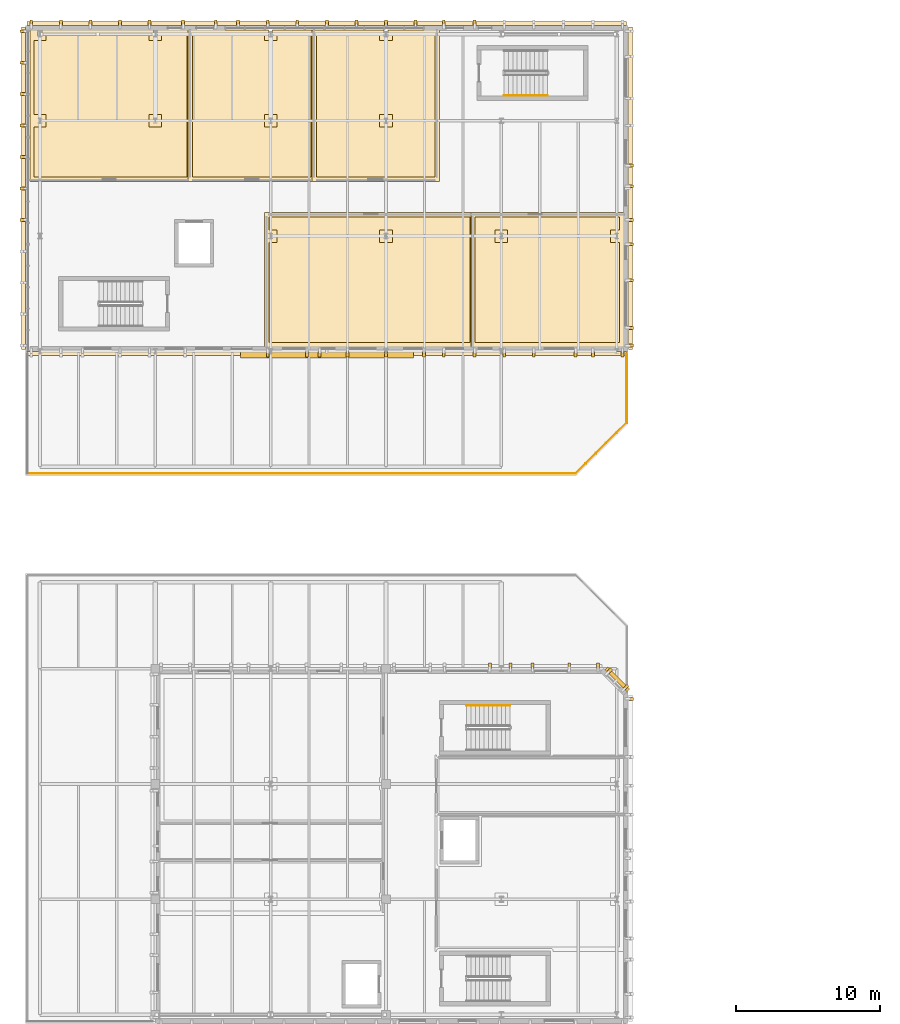
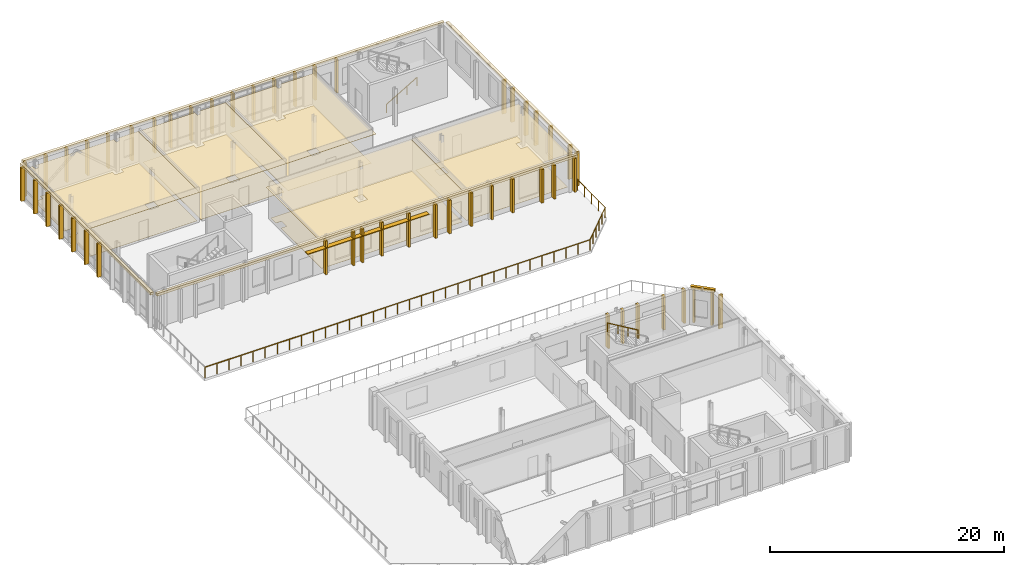
# One storey, part 39 of 43: 66 coverings, 3 railings, 1 shading device.
"""IFC4 building model written with IfcOpenShell, lengths in metres."""

from ifc_helpers import new_model, si_unit, direction, frame, origin, origin_2d, place, context, subcontext, project, spatial, polyline, rectangle, circle, outline, extrude, material, layer, layer_set, type_object, element, save


model = new_model("IFC4")

# Units and contexts
model_context = context("Model", 3, precision=1e-05, world=origin(), true_north=direction((0.0, 1.0)))
body_context = subcontext(model_context, "Body", "Model", "MODEL_VIEW")
ifc_project = project(units=[si_unit("LENGTHUNIT", "METRE"), si_unit("AREAUNIT", "SQUARE_METRE"), si_unit("VOLUMEUNIT", "CUBIC_METRE"), si_unit("PLANEANGLEUNIT", "RADIAN"), si_unit("MASSUNIT", "GRAM", prefix="KILO")], contexts=[model_context])

# Site, building, storey
site_placement = place(None, origin())
site = spatial("IfcSite", under=ifc_project, at=site_placement, CompositionType="ELEMENT")
building_placement = place(site_placement, origin())
building = spatial("IfcBuilding", under=site, at=building_placement, Name="Cymarion Research Institute", CompositionType="ELEMENT")
storey_placement = place(building_placement, frame((0.0, 0.0, 22.800048828125)))
storey = spatial("IfcBuildingStorey", under=building, at=storey_placement, Name="L05", CompositionType="ELEMENT", Elevation=22.800048828125)

# Coverings
ifc_material_1 = material(Name="Micro-perforated mineral acoustic ceiling tile", Category="gypsum")
ifc_layer_1 = layer(ifc_material_1, 0.030029296875)
ifc_layer_set_1 = layer_set([ifc_layer_1], Name="Micro-perforated mineral acoustic ceiling tile")
covering_type_1 = type_object("IfcCoveringType", Name="ACOUSTIC MICRO-PERFORATED SUSPENDED CEILING CLG-01", PredefinedType="CEILING", material=ifc_layer_set_1)
covering_1_placement = place(storey_placement, frame((0.0, 0.0, 3.1298828125)))
element("IfcCovering", 1, at=covering_1_placement, inside=storey, type_object=covering_type_1, Name="L05 L05 Terrace-Front Theoretical Biology Seminar Studio acoustic ceiling", PredefinedType="CEILING", context=body_context, shape_type="SweptSolid", body=[
    extrude(outline(polyline([(36.715087890625, 93.804931640625), (22.18505859375, 93.804931640625), (22.18505859375, 103.114990234375), (36.715087890625, 103.114990234375), (36.715087890625, 93.804931640625)])), origin(), (0.0, 0.0, 1.0), 0.030029296875),
])
covering_2_placement = place(storey_placement, frame((0.0, 0.0, 3.1298828125)))
element("IfcCovering", 2, at=covering_2_placement, inside=storey, type_object=covering_type_1, Name="L05 L05 Accessible WC and Upper V5 Staff Washrooms acoustic ceiling", PredefinedType="CEILING", context=body_context, shape_type="SweptSolid", body=[
    extrude(outline(polyline([(47.094970703125, 93.804931640625), (36.485107421875, 93.804931640625), (36.485107421875, 103.114990234375), (47.094970703125, 103.114990234375), (47.094970703125, 93.804931640625)])), origin(), (0.0, 0.0, 1.0), 0.030029296875),
])
covering_3_placement = place(storey_placement, frame((0.0, 0.0, 3.1298828125)))
element("IfcCovering", 3, at=covering_3_placement, inside=storey, type_object=covering_type_1, Name="L05 L05 Principal Investigator Offices North-West acoustic ceiling", PredefinedType="CEILING", context=body_context, shape_type="SweptSolid", body=[
    extrude(outline(polyline([(5.905029296875, 115.794921875), (6.465087890625, 115.794921875), (6.465087890625, 115.364990234375), (6.735107421875, 115.364990234375), (6.735107421875, 115.794921875), (14.465087890625, 115.794921875), (14.465087890625, 115.364990234375), (14.735107421875, 115.364990234375), (14.735107421875, 115.794921875), (17.114990234375, 115.794921875), (17.114990234375, 105.284912109375), (5.905029296875, 105.284912109375), (5.905029296875, 115.794921875)])), origin(), (0.0, 0.0, 1.0), 0.030029296875),
])
covering_4_placement = place(storey_placement, frame((0.0, 0.0, 3.1298828125)))
element("IfcCovering", 4, at=covering_4_placement, inside=storey, type_object=covering_type_1, Name="L05 L05 Postdoctoral Dry Write-Up & Reading Bay acoustic ceiling", PredefinedType="CEILING", context=body_context, shape_type="SweptSolid", body=[
    extrude(outline(polyline([(16.885009765625, 115.794921875), (22.465087890625, 115.794921875), (22.465087890625, 115.364990234375), (22.735107421875, 115.364990234375), (22.735107421875, 115.794921875), (25.715087890625, 115.794921875), (25.715087890625, 105.284912109375), (16.885009765625, 105.284912109375), (16.885009765625, 115.794921875)])), origin(), (0.0, 0.0, 1.0), 0.030029296875),
])
covering_5_placement = place(storey_placement, frame((0.0, 0.0, 3.1298828125)))
element("IfcCovering", 5, at=covering_5_placement, inside=storey, type_object=covering_type_1, Name="L05 L05 Scientific Visualization & Machine-Learning Dry Lab acoustic ceiling", PredefinedType="CEILING", context=body_context, shape_type="SweptSolid", body=[
    extrude(outline(polyline([(25.485107421875, 115.794921875), (30.465087890625, 115.794921875), (30.465087890625, 115.364990234375), (30.735107421875, 115.364990234375), (30.735107421875, 115.794921875), (34.31494140625, 115.794921875), (34.31494140625, 105.284912109375), (25.485107421875, 105.284912109375), (25.485107421875, 115.794921875)])), origin(), (0.0, 0.0, 1.0), 0.030029296875),
])

# Shading device
ifc_material_2 = material(Name="Anodised aluminium solar louvre jalousie", Category="aluminium")
ifc_layer_2 = layer(ifc_material_2, 0.06005859375)
ifc_layer_set_2 = layer_set([ifc_layer_2], Name="Anodised aluminium solar louvre jalousie")
shading_device_type = type_object("IfcShadingDeviceType", Name="ANODISED ALUMINIUM HORIZONTAL LOUVRE JALOUSIE SHD3 450MM", PredefinedType="JALOUSIE", material=ifc_layer_set_2)
shading_device_placement = place(storey_placement, frame((26.5, 93.27294921875, 2.7900390625), z_axis=(0.0, 0.0, 1.0), x_axis=(0.0, -1.0, 0.0)))
element("IfcShadingDevice", 6, at=shading_device_placement, inside=storey, type_object=shading_device_type, Name="L05 V5 south aluminium sunshade SHD3 #12", PredefinedType="JALOUSIE", context=body_context, shape_type="SweptSolid", body=[
    extrude(rectangle(XDim=0.449951171875, YDim=12.0, at=origin_2d()), origin(), (0.0, 0.0, 1.0), 0.06005859375),
])

# Railing
ifc_material_3 = material(Name="Steel S355", Category="steel")
railing_type_1 = type_object("IfcRailingType", Name="LAMINATED GLASS AND STEEL BALUSTRADE BAL1 1120MM", PredefinedType="BALUSTRADE", material=ifc_material_3)
railing_1_placement = place(storey_placement, frame((47.280029296875, 93.320068359375, 0.0)))
element("IfcRailing", 7, at=railing_1_placement, inside=storey, type_object=railing_type_1, Name="L05 V5 roof garden perimeter balustrade #6", PredefinedType="BALUSTRADE", context=body_context, shape_type="SweptSolid", body=[
    extrude(circle(Radius=0.02392578125, at=origin_2d()), frame((0.0, 0.0, 1.09619140625), z_axis=(0.0, -1.0, 0.0), x_axis=(1.0, 0.0, 0.0)), (0.0, 0.0, 1.0), 4.770263671875),
    extrude(circle(Radius=0.02392578125, at=origin_2d()), frame((0.0, -4.770263671875, 1.09619140625), z_axis=(-0.707106781187, -0.707106781187, 0.0), x_axis=(0.707106781187, -0.707106781187, 0.0)), (0.0, 0.0, 1.0), 4.991943359375),
    extrude(circle(Radius=0.02392578125, at=origin_2d()), frame((-3.52978515625, -8.300048828125, 1.09619140625), z_axis=(-1.0, 0.0, 0.0), x_axis=(0.0, -1.0, 0.0)), (0.0, 0.0, 1.0), 38.0302734375),
    extrude(circle(Radius=0.02099609375, at=origin_2d()), origin(), (0.0, 0.0, 1.0), 1.072021484375),
    extrude(circle(Radius=0.02099609375, at=origin_2d()), frame((0.0, -1.192626953125, 0.0)), (0.0, 0.0, 1.0), 1.072021484375),
    extrude(circle(Radius=0.02099609375, at=origin_2d()), frame((0.0, -2.38525390625, 0.0)), (0.0, 0.0, 1.0), 1.072021484375),
    extrude(circle(Radius=0.02099609375, at=origin_2d()), frame((0.0, -3.57763671875, 0.0)), (0.0, 0.0, 1.0), 1.072021484375),
    extrude(circle(Radius=0.02099609375, at=origin_2d()), frame((0.0, -4.770263671875, 0.0)), (0.0, 0.0, 1.0), 1.072021484375),
    extrude(circle(Radius=0.02099609375, at=origin_2d()), frame((-0.7060546875, -5.476318359375, 0.0)), (0.0, 0.0, 1.0), 1.072021484375),
    extrude(circle(Radius=0.02099609375, at=origin_2d()), frame((-1.411865234375, -6.18212890625, 0.0)), (0.0, 0.0, 1.0), 1.072021484375),
    extrude(circle(Radius=0.02099609375, at=origin_2d()), frame((-2.117919921875, -6.88818359375, 0.0)), (0.0, 0.0, 1.0), 1.072021484375),
    extrude(circle(Radius=0.02099609375, at=origin_2d()), frame((-2.82373046875, -7.593994140625, 0.0)), (0.0, 0.0, 1.0), 1.072021484375),
    extrude(circle(Radius=0.02099609375, at=origin_2d()), frame((-3.52978515625, -8.300048828125, 0.0)), (0.0, 0.0, 1.0), 1.072021484375),
    extrude(circle(Radius=0.02099609375, at=origin_2d()), frame((-4.71826171875, -8.300048828125, 0.0)), (0.0, 0.0, 1.0), 1.072021484375),
    extrude(circle(Radius=0.02099609375, at=origin_2d()), frame((-5.90673828125, -8.300048828125, 0.0)), (0.0, 0.0, 1.0), 1.072021484375),
    extrude(circle(Radius=0.02099609375, at=origin_2d()), frame((-7.09521484375, -8.300048828125, 0.0)), (0.0, 0.0, 1.0), 1.072021484375),
    extrude(circle(Radius=0.02099609375, at=origin_2d()), frame((-8.28369140625, -8.300048828125, 0.0)), (0.0, 0.0, 1.0), 1.072021484375),
    extrude(circle(Radius=0.02099609375, at=origin_2d()), frame((-9.471923828125, -8.300048828125, 0.0)), (0.0, 0.0, 1.0), 1.072021484375),
    extrude(circle(Radius=0.02099609375, at=origin_2d()), frame((-10.660400390625, -8.300048828125, 0.0)), (0.0, 0.0, 1.0), 1.072021484375),
    extrude(circle(Radius=0.02099609375, at=origin_2d()), frame((-11.848876953125, -8.300048828125, 0.0)), (0.0, 0.0, 1.0), 1.072021484375),
    extrude(circle(Radius=0.02099609375, at=origin_2d()), frame((-13.037353515625, -8.300048828125, 0.0)), (0.0, 0.0, 1.0), 1.072021484375),
    extrude(circle(Radius=0.02099609375, at=origin_2d()), frame((-14.225830078125, -8.300048828125, 0.0)), (0.0, 0.0, 1.0), 1.072021484375),
    extrude(circle(Radius=0.02099609375, at=origin_2d()), frame((-15.414306640625, -8.300048828125, 0.0)), (0.0, 0.0, 1.0), 1.072021484375),
    extrude(circle(Radius=0.02099609375, at=origin_2d()), frame((-16.602783203125, -8.300048828125, 0.0)), (0.0, 0.0, 1.0), 1.072021484375),
    extrude(circle(Radius=0.02099609375, at=origin_2d()), frame((-17.791015625, -8.300048828125, 0.0)), (0.0, 0.0, 1.0), 1.072021484375),
    extrude(circle(Radius=0.02099609375, at=origin_2d()), frame((-18.9794921875, -8.300048828125, 0.0)), (0.0, 0.0, 1.0), 1.072021484375),
    extrude(circle(Radius=0.02099609375, at=origin_2d()), frame((-20.16796875, -8.300048828125, 0.0)), (0.0, 0.0, 1.0), 1.072021484375),
    extrude(circle(Radius=0.02099609375, at=origin_2d()), frame((-21.3564453125, -8.300048828125, 0.0)), (0.0, 0.0, 1.0), 1.072021484375),
    extrude(circle(Radius=0.02099609375, at=origin_2d()), frame((-22.544921875, -8.300048828125, 0.0)), (0.0, 0.0, 1.0), 1.072021484375),
    extrude(circle(Radius=0.02099609375, at=origin_2d()), frame((-23.7333984375, -8.300048828125, 0.0)), (0.0, 0.0, 1.0), 1.072021484375),
    extrude(circle(Radius=0.02099609375, at=origin_2d()), frame((-24.921875, -8.300048828125, 0.0)), (0.0, 0.0, 1.0), 1.072021484375),
    extrude(circle(Radius=0.02099609375, at=origin_2d()), frame((-26.1103515625, -8.300048828125, 0.0)), (0.0, 0.0, 1.0), 1.072021484375),
    extrude(circle(Radius=0.02099609375, at=origin_2d()), frame((-27.298828125, -8.300048828125, 0.0)), (0.0, 0.0, 1.0), 1.072021484375),
    extrude(circle(Radius=0.02099609375, at=origin_2d()), frame((-28.487060546875, -8.300048828125, 0.0)), (0.0, 0.0, 1.0), 1.072021484375),
    extrude(circle(Radius=0.02099609375, at=origin_2d()), frame((-29.675537109375, -8.300048828125, 0.0)), (0.0, 0.0, 1.0), 1.072021484375),
    extrude(circle(Radius=0.02099609375, at=origin_2d()), frame((-30.864013671875, -8.300048828125, 0.0)), (0.0, 0.0, 1.0), 1.072021484375),
    extrude(circle(Radius=0.02099609375, at=origin_2d()), frame((-32.052490234375, -8.300048828125, 0.0)), (0.0, 0.0, 1.0), 1.072021484375),
    extrude(circle(Radius=0.02099609375, at=origin_2d()), frame((-33.240966796875, -8.300048828125, 0.0)), (0.0, 0.0, 1.0), 1.072021484375),
    extrude(circle(Radius=0.02099609375, at=origin_2d()), frame((-34.429443359375, -8.300048828125, 0.0)), (0.0, 0.0, 1.0), 1.072021484375),
    extrude(circle(Radius=0.02099609375, at=origin_2d()), frame((-35.617919921875, -8.300048828125, 0.0)), (0.0, 0.0, 1.0), 1.072021484375),
    extrude(circle(Radius=0.02099609375, at=origin_2d()), frame((-36.80615234375, -8.300048828125, 0.0)), (0.0, 0.0, 1.0), 1.072021484375),
    extrude(circle(Radius=0.02099609375, at=origin_2d()), frame((-37.99462890625, -8.300048828125, 0.0)), (0.0, 0.0, 1.0), 1.072021484375),
    extrude(circle(Radius=0.02099609375, at=origin_2d()), frame((-39.18310546875, -8.300048828125, 0.0)), (0.0, 0.0, 1.0), 1.072021484375),
    extrude(circle(Radius=0.02099609375, at=origin_2d()), frame((-40.37158203125, -8.300048828125, 0.0)), (0.0, 0.0, 1.0), 1.072021484375),
    extrude(circle(Radius=0.02099609375, at=origin_2d()), frame((-41.56005859375, -8.300048828125, 0.0)), (0.0, 0.0, 1.0), 1.072021484375),
])

# Coverings
ifc_material_4 = material(Name="Precast concrete C45/55 architectural white", Category="concrete")
ifc_layer_3 = layer(ifc_material_4, 0.260009765625)
ifc_layer_set_3 = layer_set([ifc_layer_3], Name="Precast concrete C45/55 architectural white")
covering_type_2 = type_object("IfcCoveringType", Name="SCULPTURAL WHITE PRECAST CONCRETE SPANDREL BROW BAND RIB2 280MM", PredefinedType="CLADDING", material=ifc_layer_set_3)
covering_6_placement = place(storey_placement, frame((46.650390625, 70.75048828125, 3.52001953125), z_axis=(0.0, 0.0, 1.0), x_axis=(0.707106781187, 0.707106781187, 0.0)))
element("IfcCovering", 8, at=covering_6_placement, inside=storey, type_object=covering_type_2, Name="L05 V4 precast spandrel brow band RIB2 #1004", PredefinedType="CLADDING", context=body_context, shape_type="SweptSolid", body=[
    extrude(rectangle(XDim=0.280029296875, YDim=2.1640625, at=origin_2d()), origin(), (0.0, 0.0, 1.0), 0.260009765625),
])
covering_7_placement = place(storey_placement, frame((26.5, 93.35791015625, 3.52001953125), z_axis=(0.0, 0.0, 1.0), x_axis=(0.0, -1.0, 0.0)))
element("IfcCovering", 9, at=covering_7_placement, inside=storey, type_object=covering_type_2, Name="L05 V5 precast spandrel brow band RIB2 #1036", PredefinedType="CLADDING", context=body_context, shape_type="SweptSolid", body=[
    extrude(rectangle(XDim=0.280029296875, YDim=41.56005859375, at=origin_2d()), origin(), (0.0, 0.0, 1.0), 0.260009765625),
])
covering_8_placement = place(storey_placement, frame((47.5419921875, 104.800048828125, 3.52001953125), z_axis=(0.0, 0.0, 1.0), x_axis=(1.0, 0.0, 0.0)))
element("IfcCovering", 10, at=covering_8_placement, inside=storey, type_object=covering_type_2, Name="L05 V5 precast spandrel brow band RIB2 #1056", PredefinedType="CLADDING", context=body_context, shape_type="SweptSolid", body=[
    extrude(rectangle(XDim=0.280029296875, YDim=22.360107421875, at=origin_2d()), origin(), (0.0, 0.0, 1.0), 0.260009765625),
])
covering_9_placement = place(storey_placement, frame((26.5, 116.241943359375, 3.52001953125), z_axis=(0.0, 0.0, 1.0), x_axis=(0.0, 1.0, 0.0)))
element("IfcCovering", 11, at=covering_9_placement, inside=storey, type_object=covering_type_2, Name="L05 V5 precast spandrel brow band RIB2 #1068", PredefinedType="CLADDING", context=body_context, shape_type="SweptSolid", body=[
    extrude(rectangle(XDim=0.280029296875, YDim=41.56005859375, at=origin_2d()), origin(), (0.0, 0.0, 1.0), 0.260009765625),
])
covering_10_placement = place(storey_placement, frame((5.4580078125, 104.800048828125, 3.52001953125), z_axis=(0.0, 0.0, 1.0), x_axis=(-1.0, 0.0, 0.0)))
element("IfcCovering", 12, at=covering_10_placement, inside=storey, type_object=covering_type_2, Name="L05 V5 precast spandrel brow band RIB2 #1090", PredefinedType="CLADDING", context=body_context, shape_type="SweptSolid", body=[
    extrude(rectangle(XDim=0.280029296875, YDim=22.360107421875, at=origin_2d()), origin(), (0.0, 0.0, 1.0), 0.260009765625),
])
ifc_layer_4 = layer(ifc_material_4, 0.199951171875)
ifc_layer_set_4 = layer_set([ifc_layer_4], Name="Precast concrete C45/55 architectural white")
covering_type_3 = type_object("IfcCoveringType", Name="SCULPTURAL WHITE PRECAST CONCRETE VERTICAL RIB RIB1 380X200", PredefinedType="CLADDING", material=ifc_layer_set_4)
for number, where, z_axis, x_axis, name in (
    (13, (47.592041015625, 69.39990234375, 0.010009765625), (0.0, 0.0, 1.0), (1.0, 0.0, 0.0), "L05 V4 sculptural precast vertical rib RIB1 #1003"),
    (14, (47.2529296875, 70.218505859375, 0.010009765625), (0.0, 0.0, 1.0), (0.707106781187, 0.707106781187, 0.0), "L05 V4 sculptural precast vertical rib RIB1 #1005"),
    (15, (46.11865234375, 71.352783203125, 0.010009765625), (0.0, 0.0, 1.0), (0.707106781187, 0.707106781187, 0.0), "L05 V4 sculptural precast vertical rib RIB1 #1006"),
    (16, (45.300048828125, 71.69189453125, 0.010009765625), (0.0, 0.0, 1.0), (0.0, 1.0, 0.0), "L05 V4 sculptural precast vertical rib RIB1 #1008"),
    (17, (43.313232421875, 71.69189453125, 0.010009765625), (0.0, 0.0, 1.0), (0.0, 1.0, 0.0), "L05 V4 sculptural precast vertical rib RIB1 #1009"),
    (18, (40.76318359375, 71.69189453125, 0.010009765625), (0.0, 0.0, 1.0), (0.0, 1.0, 0.0), "L05 V4 sculptural precast vertical rib RIB1 #1010"),
    (19, (39.239990234375, 71.69189453125, 0.010009765625), (0.0, 0.0, 1.0), (0.0, 1.0, 0.0), "L05 V4 sculptural precast vertical rib RIB1 #1011"),
    (20, (37.80517578125, 71.69189453125, 0.010009765625), (0.0, 0.0, 1.0), (0.0, 1.0, 0.0), "L05 V4 sculptural precast vertical rib RIB1 #1012"),
    (21, (22.39990234375, 93.30810546875, 0.010009765625), (0.0, 0.0, 1.0), (0.0, -1.0, 0.0), "L05 V5 sculptural precast vertical rib RIB1 #1043"),
    (22, (25.1201171875, 93.30810546875, 0.010009765625), (0.0, 0.0, 1.0), (0.0, -1.0, 0.0), "L05 V5 sculptural precast vertical rib RIB1 #1044"),
    (23, (26.0, 93.30810546875, 0.010009765625), (0.0, 0.0, 1.0), (0.0, -1.0, 0.0), "L05 V5 sculptural precast vertical rib RIB1 #1045"),
    (24, (27.929931640625, 93.30810546875, 0.010009765625), (0.0, 0.0, 1.0), (0.0, -1.0, 0.0), "L05 V5 sculptural precast vertical rib RIB1 #1046"),
    (25, (30.60009765625, 93.30810546875, 0.010009765625), (0.0, 0.0, 1.0), (0.0, -1.0, 0.0), "L05 V5 sculptural precast vertical rib RIB1 #1047"),
    (26, (33.22998046875, 93.30810546875, 0.010009765625), (0.0, 0.0, 1.0), (0.0, -1.0, 0.0), "L05 V5 sculptural precast vertical rib RIB1 #1048"),
    (27, (34.610107421875, 93.30810546875, 0.010009765625), (0.0, 0.0, 1.0), (0.0, -1.0, 0.0), "L05 V5 sculptural precast vertical rib RIB1 #1049"),
    (28, (36.75, 93.30810546875, 0.010009765625), (0.0, 0.0, 1.0), (0.0, -1.0, 0.0), "L05 V5 sculptural precast vertical rib RIB1 #1050"),
    (29, (38.800048828125, 93.30810546875, 0.010009765625), (0.0, 0.0, 1.0), (0.0, -1.0, 0.0), "L05 V5 sculptural precast vertical rib RIB1 #1051"),
    (30, (40.85009765625, 93.30810546875, 0.010009765625), (0.0, 0.0, 1.0), (0.0, -1.0, 0.0), "L05 V5 sculptural precast vertical rib RIB1 #1052"),
    (31, (43.75, 93.30810546875, 0.010009765625), (0.0, 0.0, 1.0), (0.0, -1.0, 0.0), "L05 V5 sculptural precast vertical rib RIB1 #1053"),
    (32, (44.949951171875, 93.30810546875, 0.010009765625), (0.0, 0.0, 1.0), (0.0, -1.0, 0.0), "L05 V5 sculptural precast vertical rib RIB1 #1054"),
    (33, (47.0, 93.30810546875, 0.010009765625), (0.0, 0.0, 1.0), (0.0, -1.0, 0.0), "L05 V5 sculptural precast vertical rib RIB1 #1055"),
    (34, (47.592041015625, 93.89990234375, 0.010009765625), (0.0, 0.0, 1.0), (1.0, 0.0, 0.0), "L05 V5 sculptural precast vertical rib RIB1 #1057"),
    (35, (47.592041015625, 95.131103515625, 0.010009765625), (0.0, 0.0, 1.0), (1.0, 0.0, 0.0), "L05 V5 sculptural precast vertical rib RIB1 #1058"),
    (36, (47.592041015625, 98.430908203125, 0.010009765625), (0.0, 0.0, 1.0), (1.0, 0.0, 0.0), "L05 V5 sculptural precast vertical rib RIB1 #1059"),
    (37, (47.592041015625, 100.929931640625, 0.010009765625), (0.0, 0.0, 1.0), (1.0, 0.0, 0.0), "L05 V5 sculptural precast vertical rib RIB1 #1060"),
    (38, (47.592041015625, 102.6201171875, 0.010009765625), (0.0, 0.0, 1.0), (1.0, 0.0, 0.0), "L05 V5 sculptural precast vertical rib RIB1 #1061"),
    (39, (47.592041015625, 104.949951171875, 0.010009765625), (0.0, 0.0, 1.0), (1.0, 0.0, 0.0), "L05 V5 sculptural precast vertical rib RIB1 #1062"),
    (40, (47.592041015625, 106.3798828125, 0.010009765625), (0.0, 0.0, 1.0), (1.0, 0.0, 0.0), "L05 V5 sculptural precast vertical rib RIB1 #1063"),
    (41, (36.75, 116.2919921875, 0.010009765625), (0.0, 0.0, 1.0), (0.0, 1.0, 0.0), "L05 V5 sculptural precast vertical rib RIB1 #1074"),
    (42, (34.610107421875, 116.2919921875, 0.010009765625), (0.0, 0.0, 1.0), (0.0, 1.0, 0.0), "L05 V5 sculptural precast vertical rib RIB1 #1075"),
    (43, (32.64990234375, 116.2919921875, 0.010009765625), (0.0, 0.0, 1.0), (0.0, 1.0, 0.0), "L05 V5 sculptural precast vertical rib RIB1 #1076"),
    (44, (30.60009765625, 116.2919921875, 0.010009765625), (0.0, 0.0, 1.0), (0.0, 1.0, 0.0), "L05 V5 sculptural precast vertical rib RIB1 #1077"),
    (45, (28.550048828125, 116.2919921875, 0.010009765625), (0.0, 0.0, 1.0), (0.0, 1.0, 0.0), "L05 V5 sculptural precast vertical rib RIB1 #1078"),
    (46, (26.5, 116.2919921875, 0.010009765625), (0.0, 0.0, 1.0), (0.0, 1.0, 0.0), "L05 V5 sculptural precast vertical rib RIB1 #1079"),
    (47, (24.449951171875, 116.2919921875, 0.010009765625), (0.0, 0.0, 1.0), (0.0, 1.0, 0.0), "L05 V5 sculptural precast vertical rib RIB1 #1080"),
    (48, (22.39990234375, 116.2919921875, 0.010009765625), (0.0, 0.0, 1.0), (0.0, 1.0, 0.0), "L05 V5 sculptural precast vertical rib RIB1 #1081"),
    (49, (20.35009765625, 116.2919921875, 0.010009765625), (0.0, 0.0, 1.0), (0.0, 1.0, 0.0), "L05 V5 sculptural precast vertical rib RIB1 #1082"),
    (50, (18.79296875, 116.2919921875, 0.010009765625), (0.0, 0.0, 1.0), (0.0, 1.0, 0.0), "L05 V5 sculptural precast vertical rib RIB1 #1083"),
    (51, (16.530029296875, 116.2919921875, 0.010009765625), (0.0, 0.0, 1.0), (0.0, 1.0, 0.0), "L05 V5 sculptural precast vertical rib RIB1 #1084"),
    (52, (14.199951171875, 116.2919921875, 0.010009765625), (0.0, 0.0, 1.0), (0.0, 1.0, 0.0), "L05 V5 sculptural precast vertical rib RIB1 #1085"),
    (53, (12.14990234375, 116.2919921875, 0.010009765625), (0.0, 0.0, 1.0), (0.0, 1.0, 0.0), "L05 V5 sculptural precast vertical rib RIB1 #1086"),
    (54, (10.10009765625, 116.2919921875, 0.010009765625), (0.0, 0.0, 1.0), (0.0, 1.0, 0.0), "L05 V5 sculptural precast vertical rib RIB1 #1087"),
    (55, (8.050048828125, 116.2919921875, 0.010009765625), (0.0, 0.0, 1.0), (0.0, 1.0, 0.0), "L05 V5 sculptural precast vertical rib RIB1 #1088"),
    (56, (6.0, 116.2919921875, 0.010009765625), (0.0, 0.0, 1.0), (0.0, 1.0, 0.0), "L05 V5 sculptural precast vertical rib RIB1 #1089"),
    (57, (5.407958984375, 115.699951171875, 0.010009765625), (0.0, 0.0, 1.0), (-1.0, 0.0, 0.0), "L05 V5 sculptural precast vertical rib RIB1 #1091"),
    (58, (5.407958984375, 113.52001953125, 0.010009765625), (0.0, 0.0, 1.0), (-1.0, 0.0, 0.0), "L05 V5 sculptural precast vertical rib RIB1 #1092"),
    (59, (5.407958984375, 111.340087890625, 0.010009765625), (0.0, 0.0, 1.0), (-1.0, 0.0, 0.0), "L05 V5 sculptural precast vertical rib RIB1 #1093"),
    (60, (5.407958984375, 109.159912109375, 0.010009765625), (0.0, 0.0, 1.0), (-1.0, 0.0, 0.0), "L05 V5 sculptural precast vertical rib RIB1 #1094"),
    (61, (5.407958984375, 106.97998046875, 0.010009765625), (0.0, 0.0, 1.0), (-1.0, 0.0, 0.0), "L05 V5 sculptural precast vertical rib RIB1 #1095"),
    (62, (5.407958984375, 104.800048828125, 0.010009765625), (0.0, 0.0, 1.0), (-1.0, 0.0, 0.0), "L05 V5 sculptural precast vertical rib RIB1 #1096"),
    (63, (5.407958984375, 102.6201171875, 0.010009765625), (0.0, 0.0, 1.0), (-1.0, 0.0, 0.0), "L05 V5 sculptural precast vertical rib RIB1 #1097"),
):
    element("IfcCovering", number, at=place(storey_placement, frame(where, z_axis=z_axis, x_axis=x_axis)), inside=storey, type_object=covering_type_3, Name=name, PredefinedType="CLADDING", context=body_context, shape_type="SweptSolid", body=[
        extrude(rectangle(XDim=0.3798828125, YDim=0.199951171875, at=origin_2d()), origin(), (0.0, 0.0, 1.0), 3.5048828125),
    ])
ifc_material_5 = material(Name="Seamless dissipative epoxy resin flooring", Category="resin")
ifc_layer_5 = layer(ifc_material_5, 0.02001953125)
ifc_layer_set_5 = layer_set([ifc_layer_5], Name="Seamless dissipative epoxy resin flooring")
covering_type_4 = type_object("IfcCoveringType", Name="SEAMLESS ESD EPOXY LABORATORY FLOORING FLR-01", PredefinedType="FLOORING", material=ifc_layer_set_5)
covering_11_placement = place(storey_placement, origin())
element("IfcCovering", 64, at=covering_11_placement, inside=storey, type_object=covering_type_4, Name="L05 L05 Terrace-Front Theoretical Biology Seminar Studio ESD epoxy flooring", PredefinedType="FLOORING", context=body_context, shape_type="SweptSolid", body=[
    extrude(outline(polyline([(22.485107421875, 101.06494140625), (23.034912109375, 101.06494140625), (23.034912109375, 101.93505859375), (22.485107421875, 101.93505859375), (22.485107421875, 102.81494140625), (36.4150390625, 102.81494140625), (36.4150390625, 94.10498046875), (22.485107421875, 94.10498046875), (22.485107421875, 101.06494140625)]), holes=[polyline([(30.1650390625, 101.93505859375), (30.1650390625, 101.06494140625), (31.034912109375, 101.06494140625), (31.034912109375, 101.93505859375), (30.1650390625, 101.93505859375)])]), origin(), (0.0, 0.0, 1.0), 0.02001953125),
])
covering_12_placement = place(storey_placement, origin())
element("IfcCovering", 65, at=covering_12_placement, inside=storey, type_object=covering_type_4, Name="L05 L05 Accessible WC and Upper V5 Staff Washrooms ESD epoxy flooring", PredefinedType="FLOORING", context=body_context, shape_type="SweptSolid", body=[
    extrude(outline(polyline([(46.1650390625, 101.93505859375), (46.1650390625, 101.06494140625), (46.794921875, 101.06494140625), (46.794921875, 94.10498046875), (36.784912109375, 94.10498046875), (36.784912109375, 102.81494140625), (46.794921875, 102.81494140625), (46.794921875, 101.93505859375), (46.1650390625, 101.93505859375)]), holes=[polyline([(38.1650390625, 101.06494140625), (39.034912109375, 101.06494140625), (39.034912109375, 101.93505859375), (38.1650390625, 101.93505859375), (38.1650390625, 101.06494140625)])]), origin(), (0.0, 0.0, 1.0), 0.02001953125),
])
covering_13_placement = place(storey_placement, origin())
element("IfcCovering", 66, at=covering_13_placement, inside=storey, type_object=covering_type_4, Name="L05 L05 Principal Investigator Offices North-West ESD epoxy flooring", PredefinedType="FLOORING", context=body_context, shape_type="SweptSolid", body=[
    extrude(outline(polyline([(6.205078125, 109.93505859375), (6.205078125, 115.06494140625), (7.034912109375, 115.06494140625), (7.034912109375, 115.4951171875), (14.1650390625, 115.4951171875), (14.1650390625, 115.06494140625), (15.034912109375, 115.06494140625), (15.034912109375, 115.4951171875), (16.81494140625, 115.4951171875), (16.81494140625, 105.5849609375), (6.205078125, 105.5849609375), (6.205078125, 109.06494140625), (7.034912109375, 109.06494140625), (7.034912109375, 109.93505859375), (6.205078125, 109.93505859375)]), holes=[polyline([(14.1650390625, 109.93505859375), (14.1650390625, 109.06494140625), (15.034912109375, 109.06494140625), (15.034912109375, 109.93505859375), (14.1650390625, 109.93505859375)])]), origin(), (0.0, 0.0, 1.0), 0.02001953125),
])
covering_14_placement = place(storey_placement, origin())
element("IfcCovering", 67, at=covering_14_placement, inside=storey, type_object=covering_type_4, Name="L05 L05 Postdoctoral Dry Write-Up & Reading Bay ESD epoxy flooring", PredefinedType="FLOORING", context=body_context, shape_type="SweptSolid", body=[
    extrude(outline(polyline([(17.18505859375, 105.5849609375), (17.18505859375, 115.4951171875), (22.1650390625, 115.4951171875), (22.1650390625, 115.06494140625), (23.034912109375, 115.06494140625), (23.034912109375, 115.4951171875), (25.4150390625, 115.4951171875), (25.4150390625, 105.5849609375), (17.18505859375, 105.5849609375)]), holes=[polyline([(22.1650390625, 109.93505859375), (22.1650390625, 109.06494140625), (23.034912109375, 109.06494140625), (23.034912109375, 109.93505859375), (22.1650390625, 109.93505859375)])]), origin(), (0.0, 0.0, 1.0), 0.02001953125),
])
covering_15_placement = place(storey_placement, origin())
element("IfcCovering", 68, at=covering_15_placement, inside=storey, type_object=covering_type_4, Name="L05 L05 Scientific Visualization & Machine-Learning Dry Lab ESD epoxy flooring", PredefinedType="FLOORING", context=body_context, shape_type="SweptSolid", body=[
    extrude(outline(polyline([(25.784912109375, 105.5849609375), (25.784912109375, 115.4951171875), (30.1650390625, 115.4951171875), (30.1650390625, 115.06494140625), (31.034912109375, 115.06494140625), (31.034912109375, 115.4951171875), (34.014892578125, 115.4951171875), (34.014892578125, 105.5849609375), (25.784912109375, 105.5849609375)]), holes=[polyline([(30.1650390625, 109.93505859375), (30.1650390625, 109.06494140625), (31.034912109375, 109.06494140625), (31.034912109375, 109.93505859375), (30.1650390625, 109.93505859375)])]), origin(), (0.0, 0.0, 1.0), 0.02001953125),
])

# Railings
railing_type_2 = type_object("IfcRailingType", Name="STAINLESS STEEL STAIR HANDRAIL HR1 900MM", PredefinedType="HANDRAIL", material=ifc_material_3)
railing_2_placement = place(storey_placement, frame((39.199951171875, 68.949951171875, 2.127197265625)))
element("IfcRailing", 69, at=railing_2_placement, inside=storey, type_object=railing_type_2, Name="L05 ST8 stair handrail 2", PredefinedType="HANDRAIL", context=body_context, shape_type="SweptSolid", body=[
    extrude(circle(Radius=0.02392578125, at=origin_2d()), frame((0.0, 0.0, 0.8759765625), z_axis=(-0.86092931783, 0.0, 0.508724591208), x_axis=(0.0, -1.0, 0.0)), (0.0, 0.0, 1.0), 3.484619140625),
    extrude(circle(Radius=0.02099609375, at=origin_2d()), origin(), (0.0, 0.0, 1.0), 0.851806640625),
    extrude(circle(Radius=0.02099609375, at=origin_2d()), frame((-1.0, 0.0, 0.5908203125)), (0.0, 0.0, 1.0), 0.851806640625),
    extrude(circle(Radius=0.02099609375, at=origin_2d()), frame((-2.0, 0.0, 1.181884765625)), (0.0, 0.0, 1.0), 0.851806640625),
    extrude(circle(Radius=0.02099609375, at=origin_2d()), frame((-3.0, 0.0, 1.772705078125)), (0.0, 0.0, 1.0), 0.851806640625),
])
railing_3_placement = place(storey_placement, frame((38.800048828125, 111.25, 0.17724609375)))
element("IfcRailing", 70, at=railing_3_placement, inside=storey, type_object=railing_type_2, Name="L05 ST10 stair handrail 1", PredefinedType="HANDRAIL", context=body_context, shape_type="SweptSolid", body=[
    extrude(circle(Radius=0.02392578125, at=origin_2d()), frame((0.0, 0.0, 0.8759765625), z_axis=(0.86092931783, 0.0, 0.508724591208), x_axis=(0.0, 1.0, 0.0)), (0.0, 0.0, 1.0), 3.484619140625),
    extrude(circle(Radius=0.02099609375, at=origin_2d()), origin(), (0.0, 0.0, 1.0), 0.851806640625),
    extrude(circle(Radius=0.02099609375, at=origin_2d()), frame((1.0, 0.0, 0.5908203125)), (0.0, 0.0, 1.0), 0.851806640625),
    extrude(circle(Radius=0.02099609375, at=origin_2d()), frame((2.0, 0.0, 1.181884765625)), (0.0, 0.0, 1.0), 0.851806640625),
    extrude(circle(Radius=0.02099609375, at=origin_2d()), frame((3.0, 0.0, 1.772705078125)), (0.0, 0.0, 1.0), 0.851806640625),
])

save(model, "model.ifc")
